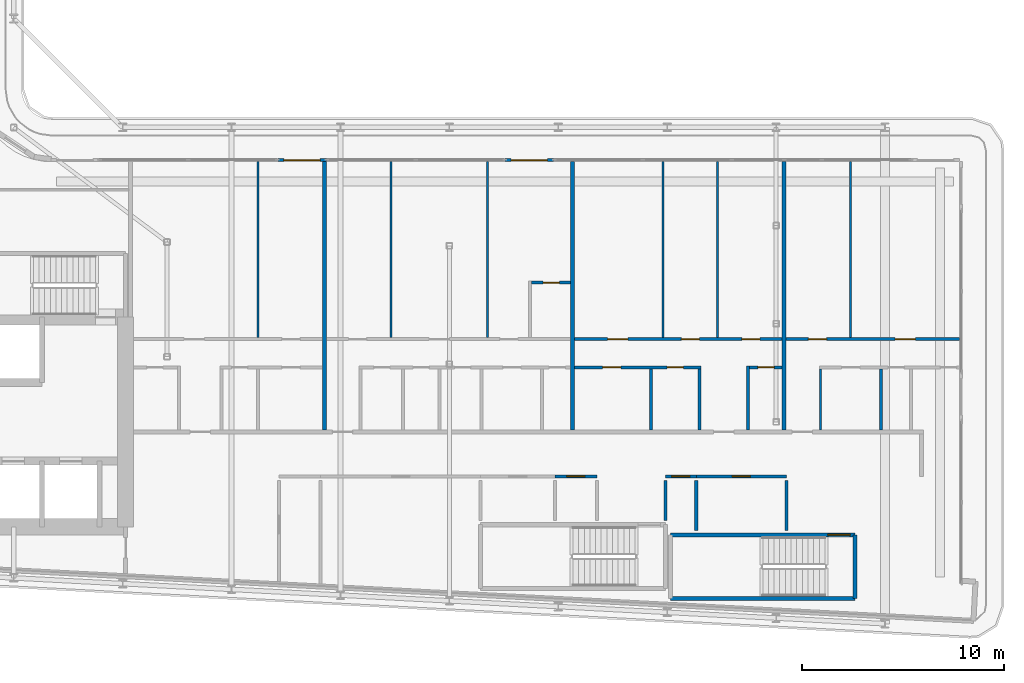
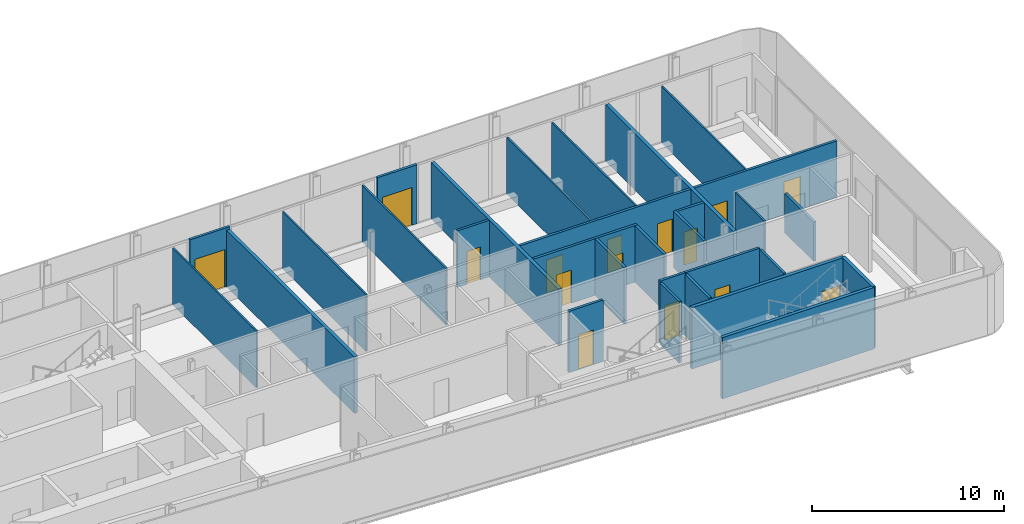
# One storey, part 17 of 29: 30 walls, 15 doors, 15 openings.
"""IFC4 building model written with IfcOpenShell, lengths in metres."""

from ifc_helpers import new_model, si_unit, direction, frame, frame_2d, origin, place, context, subcontext, project, spatial, rectangle, extrude, source, transform, mapped, material, layer, layer_set, type_object, element, fill, save


model = new_model("IFC4")

# Units and contexts
model_context = context("Model", 3, precision=1e-05, world=origin(), true_north=direction((0.0, 1.0)))
body_context = subcontext(model_context, "Body", "Model", "MODEL_VIEW")
ifc_project = project(units=[si_unit("LENGTHUNIT", "METRE"), si_unit("AREAUNIT", "SQUARE_METRE"), si_unit("VOLUMEUNIT", "CUBIC_METRE"), si_unit("PLANEANGLEUNIT", "RADIAN"), si_unit("MASSUNIT", "GRAM", prefix="KILO")], contexts=[model_context])

# Site, building, storey
site_placement = place(None, origin())
site = spatial("IfcSite", under=ifc_project, at=site_placement, CompositionType="ELEMENT")
building_placement = place(site_placement, origin())
building = spatial("IfcBuilding", under=site, at=building_placement, Name="Kheshtan School and Residences Tower", CompositionType="ELEMENT")
storey_placement = place(building_placement, frame((0.0, 0.0, 168.199951171875)))
storey = spatial("IfcBuildingStorey", under=building, at=storey_placement, Name="L39", CompositionType="ELEMENT", Elevation=168.199951171875)

# Wall, opening, door
ifc_material_1 = material(Name="Aluminium frame wall with insulated infill", Category="aluminium")
ifc_layer_1 = layer(ifc_material_1, 0.14990234375)
ifc_layer_set_1 = layer_set([ifc_layer_1], Name="Glazing frame wall 150")
wall_type_1 = type_object("IfcWallType", Name="Glazing frame wall 150", PredefinedType="SOLIDWALL", material=ifc_layer_set_1)
wall_1_placement = place(storey_placement, frame((60.697021484375, 43.97509765625, 0.0), z_axis=(0.0, 0.0, 1.0), x_axis=(1.0, 0.0, 0.0)))
wall_1 = element("IfcWall", 1, at=wall_1_placement, inside=storey, type_object=wall_type_1, Name="Balcony door wall L39 12.2", PredefinedType="SOLIDWALL", context=body_context, shape_type="SweptSolid", body=[
    extrude(rectangle(XDim=2.39990234375, YDim=0.14990234375, at=frame_2d((1.199951171875, 0.0))), origin(), (0.0, 0.0, 1.0), 3.75),
])
opening_1_placement = place(wall_1_placement, frame((0.300048828125, 0.0, 0.0)))
opening_1 = element("IfcOpeningElement", 2, at=opening_1_placement, cuts=wall_1, Name="Opening BD", PredefinedType="OPENING", context=body_context, shape_type="SweptSolid", body=[
    extrude(rectangle(XDim=1.800048828125, YDim=2.39990234375, at=frame_2d((0.89990234375, 1.199951171875))), frame((0.0, 0.0849609375, 0.0), z_axis=(0.0, -1.0, 0.0), x_axis=(1.0, 0.0, 0.0)), (0.0, 0.0, 1.0), 0.169921875),
])
ifc_material_2 = material(Name="Clear low-e glass in thermally broken aluminium frame", Category="aluminium")
door_type_1 = type_object("IfcDoorType", Name="Balcony sliding door", OperationType="SLIDING_TO_LEFT", PredefinedType="DOOR", material=ifc_material_2)
shared_shape_1 = source(origin(), body_context, "Body", "SweptSolid", [
    extrude(rectangle(XDim=1.800048828125, YDim=2.39990234375, at=frame_2d((0.89990234375, 1.199951171875))), frame((0.0, 0.02490234375, 0.0), z_axis=(0.0, -1.0, 0.0), x_axis=(1.0, 0.0, 0.0)), (0.0, 0.0, 1.0), 0.050048828125),
])
door_1_placement = place(opening_1_placement, origin())
door_1 = element("IfcDoor", 3, at=door_1_placement, inside=storey, type_object=door_type_1, Name="Balcony door L39 12.2", OperationType="SLIDING_TO_LEFT", OverallHeight=2.39990234375, OverallWidth=1.800048828125, PredefinedType="DOOR", context=body_context, shape_type="MappedRepresentation", body=[
    mapped(shared_shape_1, transform((0.0, 0.0, 0.0), x_axis=(1.0, 0.0, 0.0), y_axis=(0.0, 1.0, 0.0), z_axis=(0.0, 0.0, 1.0), scale=1.0)),
])
fill(opening_1, door_1)

wall_2_placement = place(storey_placement, frame((71.965087890625, 43.97509765625, 0.0), z_axis=(0.0, 0.0, 1.0), x_axis=(1.0, 0.0, 0.0)))
wall_2 = element("IfcWall", 4, at=wall_2_placement, inside=storey, type_object=wall_type_1, Name="Balcony door wall L39 12.3", PredefinedType="SOLIDWALL", context=body_context, shape_type="SweptSolid", body=[
    extrude(rectangle(XDim=2.39990234375, YDim=0.14990234375, at=frame_2d((1.199951171875, 0.0))), origin(), (0.0, 0.0, 1.0), 3.75),
])
opening_2_placement = place(wall_2_placement, frame((0.300048828125, 0.0, 0.0)))
opening_2 = element("IfcOpeningElement", 5, at=opening_2_placement, cuts=wall_2, Name="Opening BD", PredefinedType="OPENING", context=body_context, shape_type="SweptSolid", body=[
    extrude(rectangle(XDim=1.800048828125, YDim=2.39990234375, at=frame_2d((0.89990234375, 1.199951171875))), frame((0.0, 0.0849609375, 0.0), z_axis=(0.0, -1.0, 0.0), x_axis=(1.0, 0.0, 0.0)), (0.0, 0.0, 1.0), 0.169921875),
])
door_2_placement = place(opening_2_placement, origin())
door_2 = element("IfcDoor", 6, at=door_2_placement, inside=storey, type_object=door_type_1, Name="Balcony door L39 12.3", OperationType="SLIDING_TO_LEFT", OverallHeight=2.39990234375, OverallWidth=1.800048828125, PredefinedType="DOOR", context=body_context, shape_type="MappedRepresentation", body=[
    mapped(shared_shape_1, transform((0.0, 0.0, 0.0), x_axis=(1.0, 0.0, 0.0), y_axis=(0.0, 1.0, 0.0), z_axis=(0.0, 0.0, 1.0), scale=1.0)),
])
fill(opening_2, door_2)

# Walls
ifc_material_3 = material(Name="Gypsum board on steel studs", Category="steel")
ifc_layer_2 = layer(ifc_material_3, 0.10009765625)
ifc_layer_set_2 = layer_set([ifc_layer_2], Name="Gypsum partition 100")
wall_type_2 = type_object("IfcWallType", Name="Gypsum partition 100", PredefinedType="PARTITIONING", material=ifc_layer_set_2)
for number, where, z_axis, x_axis, name in (
    (7, (59.699951171875, 35.175048828125, 0.0), (0.0, 0.0, 1.0), (0.0, 1.0, 0.0), "Partition L39-044"),
    (8, (66.300048828125, 35.175048828125, 0.0), (0.0, 0.0, 1.0), (0.0, 1.0, 0.0), "Partition L39-049"),
    (9, (71.10009765625, 35.175048828125, 0.0), (0.0, 0.0, 1.0), (0.0, 1.0, 0.0), "Partition L39-053"),
    (10, (79.800048828125, 35.175048828125, 0.0), (0.0, 0.0, 1.0), (0.0, 1.0, 0.0), "Partition L39-061"),
    (11, (82.5, 35.175048828125, 0.0), (0.0, 0.0, 1.0), (0.0, 1.0, 0.0), "Partition L39-063"),
):
    element("IfcWall", number, at=place(storey_placement, frame(where, z_axis=z_axis, x_axis=x_axis)), inside=storey, type_object=wall_type_2, Name=name, PredefinedType="PARTITIONING", context=body_context, shape_type="SweptSolid", body=[
        extrude(rectangle(XDim=8.724853515625, YDim=0.10009765625, at=frame_2d((4.3623046875, 0.0))), origin(), (0.0, 0.0, 1.0), 3.60009765625),
    ])
wall_3_placement = place(storey_placement, frame((87.60009765625, 30.60009765625, 0.0), z_axis=(0.0, 0.0, 1.0), x_axis=(0.0, 1.0, 0.0)))
element("IfcWall", 12, at=wall_3_placement, inside=storey, type_object=wall_type_2, Name="Partition L39-069", PredefinedType="PARTITIONING", context=body_context, shape_type="SweptSolid", body=[
    extrude(rectangle(XDim=3.02490234375, YDim=0.10009765625, at=frame_2d((1.512451171875, 0.0))), origin(), (0.0, 0.0, 1.0), 3.60009765625),
])
wall_4_placement = place(storey_placement, frame((89.10009765625, 35.175048828125, 0.0), z_axis=(0.0, 0.0, 1.0), x_axis=(0.0, 1.0, 0.0)))
element("IfcWall", 13, at=wall_4_placement, inside=storey, type_object=wall_type_2, Name="Partition L39-070", PredefinedType="PARTITIONING", context=body_context, shape_type="SweptSolid", body=[
    extrude(rectangle(XDim=8.724853515625, YDim=0.10009765625, at=frame_2d((4.3623046875, 0.0))), origin(), (0.0, 0.0, 1.0), 3.60009765625),
])

# Wall, opening, door
ifc_material_4 = material(Name="Fire-board shaft wall system")
ifc_layer_3 = layer(ifc_material_4, 0.14990234375)
ifc_layer_set_3 = layer_set([ifc_layer_3], Name="Service room wall 150")
wall_type_3 = type_object("IfcWallType", Name="Service room wall 150", PredefinedType="PARTITIONING", material=ifc_layer_set_3)
wall_5_placement = place(storey_placement, frame((74.43603515625, 28.300048828125, 0.0), z_axis=(0.0, 0.0, 1.0), x_axis=(1.0, 0.0, 0.0)))
wall_5 = element("IfcWall", 14, at=wall_5_placement, inside=storey, type_object=wall_type_3, Name="Service room wall", PredefinedType="PARTITIONING", context=body_context, shape_type="SweptSolid", body=[
    extrude(rectangle(XDim=2.073974609375, YDim=0.14990234375, at=frame_2d((1.037109375, 0.0))), origin(), (0.0, 0.0, 1.0), 3.900146484375),
])
opening_3_placement = place(wall_5_placement, frame((0.5869140625, 0.0, 0.0)))
opening_3 = element("IfcOpeningElement", 15, at=opening_3_placement, cuts=wall_5, Name="Opening SR90", PredefinedType="OPENING", context=body_context, shape_type="SweptSolid", body=[
    extrude(rectangle(XDim=0.89990234375, YDim=2.199951171875, at=frame_2d((0.449951171875, 1.10009765625))), frame((0.0, 0.0849609375, 0.0), z_axis=(0.0, -1.0, 0.0), x_axis=(1.0, 0.0, 0.0)), (0.0, 0.0, 1.0), 0.169921875),
])
ifc_material_5 = material(Name="Steel door leaf, galvanised", Category="steel")
door_type_2 = type_object("IfcDoorType", Name="Service room door 900 steel 90 min", OperationType="SINGLE_SWING_LEFT", PredefinedType="DOOR", material=ifc_material_5)
shared_shape_2 = source(origin(), body_context, "Body", "SweptSolid", [
    extrude(rectangle(XDim=0.89990234375, YDim=2.199951171875, at=frame_2d((0.449951171875, 1.10009765625))), frame((0.0, 0.02490234375, 0.0), z_axis=(0.0, -1.0, 0.0), x_axis=(1.0, 0.0, 0.0)), (0.0, 0.0, 1.0), 0.050048828125),
])
door_3_placement = place(opening_3_placement, origin())
door_3 = element("IfcDoor", 16, at=door_3_placement, inside=storey, type_object=door_type_2, Name="Service room door", OperationType="SINGLE_SWING_LEFT", OverallHeight=2.199951171875, OverallWidth=0.89990234375, PredefinedType="DOOR", context=body_context, shape_type="MappedRepresentation", body=[
    mapped(shared_shape_2, transform((0.0, 0.0, 0.0), x_axis=(1.0, 0.0, 0.0), y_axis=(0.0, 1.0, 0.0), z_axis=(0.0, 0.0, 1.0), scale=1.0)),
])
fill(opening_3, door_3)

wall_6_placement = place(storey_placement, frame((79.909912109375, 28.300048828125, 0.0), z_axis=(0.0, 0.0, 1.0), x_axis=(1.0, 0.0, 0.0)))
wall_6 = element("IfcWall", 17, at=wall_6_placement, inside=storey, type_object=wall_type_3, Name="Service room wall", PredefinedType="PARTITIONING", context=body_context, shape_type="SweptSolid", body=[
    extrude(rectangle(XDim=1.531005859375, YDim=0.14990234375, at=frame_2d((0.765625, 0.0))), origin(), (0.0, 0.0, 1.0), 3.900146484375),
])
opening_4_placement = place(wall_6_placement, frame((0.31591796875, 0.0, 0.0)))
opening_4 = element("IfcOpeningElement", 18, at=opening_4_placement, cuts=wall_6, Name="Opening SR90", PredefinedType="OPENING", context=body_context, shape_type="SweptSolid", body=[
    extrude(rectangle(XDim=0.89990234375, YDim=2.199951171875, at=frame_2d((0.449951171875, 1.10009765625))), frame((0.0, 0.0849609375, 0.0), z_axis=(0.0, -1.0, 0.0), x_axis=(1.0, 0.0, 0.0)), (0.0, 0.0, 1.0), 0.169921875),
])
door_4_placement = place(opening_4_placement, origin())
door_4 = element("IfcDoor", 19, at=door_4_placement, inside=storey, type_object=door_type_2, Name="Service room door", OperationType="SINGLE_SWING_RIGHT", OverallHeight=2.199951171875, OverallWidth=0.89990234375, PredefinedType="DOOR", context=body_context, shape_type="MappedRepresentation", body=[
    mapped(shared_shape_2, transform((0.0, 0.0, 0.0), x_axis=(1.0, 0.0, 0.0), y_axis=(0.0, 1.0, 0.0), z_axis=(0.0, 0.0, 1.0), scale=1.0)),
])
fill(opening_4, door_4)

# Walls
wall_7_placement = place(storey_placement, frame((79.909912109375, 26.1201171875, 0.0), z_axis=(0.0, 0.0, 1.0), x_axis=(0.0, 1.0, 0.0)))
element("IfcWall", 20, at=wall_7_placement, inside=storey, type_object=wall_type_3, Name="Service room wall", PredefinedType="PARTITIONING", context=body_context, shape_type="SweptSolid", body=[
    extrude(rectangle(XDim=1.98486328125, YDim=0.14990234375, at=frame_2d((0.992431640625, 0.0))), origin(), (0.0, 0.0, 1.0), 3.900146484375),
])
wall_8_placement = place(storey_placement, frame((81.44091796875, 25.6201171875, 0.0), z_axis=(0.0, 0.0, 1.0), x_axis=(0.0, 1.0, 0.0)))
element("IfcWall", 21, at=wall_8_placement, inside=storey, type_object=wall_type_3, Name="Service room wall", PredefinedType="PARTITIONING", context=body_context, shape_type="SweptSolid", body=[
    extrude(rectangle(XDim=2.48486328125, YDim=0.14990234375, at=frame_2d((1.242431640625, 0.0))), origin(), (0.0, 0.0, 1.0), 3.900146484375),
])

# Wall, opening, door
wall_9_placement = place(storey_placement, frame((81.44091796875, 28.300048828125, 0.0), z_axis=(0.0, 0.0, 1.0), x_axis=(1.0, 0.0, 0.0)))
wall_9 = element("IfcWall", 22, at=wall_9_placement, inside=storey, type_object=wall_type_3, Name="Service room wall", PredefinedType="PARTITIONING", context=body_context, shape_type="SweptSolid", body=[
    extrude(rectangle(XDim=4.47900390625, YDim=0.14990234375, at=frame_2d((2.239501953125, 0.0))), origin(), (0.0, 0.0, 1.0), 3.900146484375),
])
opening_5_placement = place(wall_9_placement, frame((1.7890625, 0.0, 0.0)))
opening_5 = element("IfcOpeningElement", 23, at=opening_5_placement, cuts=wall_9, Name="Opening SR90", PredefinedType="OPENING", context=body_context, shape_type="SweptSolid", body=[
    extrude(rectangle(XDim=0.89990234375, YDim=2.199951171875, at=frame_2d((0.449951171875, 1.10009765625))), frame((0.0, 0.0849609375, 0.0), z_axis=(0.0, -1.0, 0.0), x_axis=(1.0, 0.0, 0.0)), (0.0, 0.0, 1.0), 0.169921875),
])
door_5_placement = place(opening_5_placement, origin())
door_5 = element("IfcDoor", 24, at=door_5_placement, inside=storey, type_object=door_type_2, Name="Service room door", OperationType="SINGLE_SWING_LEFT", OverallHeight=2.199951171875, OverallWidth=0.89990234375, PredefinedType="DOOR", context=body_context, shape_type="MappedRepresentation", body=[
    mapped(shared_shape_2, transform((0.0, 0.0, 0.0), x_axis=(1.0, 0.0, 0.0), y_axis=(0.0, 1.0, 0.0), z_axis=(0.0, 0.0, 1.0), scale=1.0)),
])
fill(opening_5, door_5)

# Walls
wall_10_placement = place(storey_placement, frame((85.919921875, 25.6201171875, 0.0), z_axis=(0.0, 0.0, 1.0), x_axis=(0.0, 1.0, 0.0)))
element("IfcWall", 25, at=wall_10_placement, inside=storey, type_object=wall_type_3, Name="Service room wall", PredefinedType="PARTITIONING", context=body_context, shape_type="SweptSolid", body=[
    extrude(rectangle(XDim=2.48486328125, YDim=0.14990234375, at=frame_2d((1.242431640625, 0.0))), origin(), (0.0, 0.0, 1.0), 3.900146484375),
])
ifc_material_6 = material(Name="Concrete C40/50", Category="concrete")
ifc_layer_4 = layer(ifc_material_6, 0.199951171875)
ifc_layer_set_4 = layer_set([ifc_layer_4], Name="Stair enclosure wall 200 Concrete C40/50")
wall_type_4 = type_object("IfcWallType", Name="Stair enclosure wall 200 Concrete C40/50", PredefinedType="SHEAR", material=ifc_layer_set_4)
wall_11_placement = place(storey_placement, frame((80.159912109375, 22.25, 0.0), z_axis=(0.0, 0.0, 1.0), x_axis=(1.0, 0.0, 0.0)))
element("IfcWall", 26, at=wall_11_placement, inside=storey, type_object=wall_type_4, Name="Stair enclosure wall ST4", PredefinedType="SHEAR", context=body_context, shape_type="SweptSolid", body=[
    extrude(rectangle(XDim=9.16015625, YDim=0.199951171875, at=frame_2d((4.580078125, 0.0))), origin(), (0.0, 0.0, 1.0), 3.900146484375),
])

# Wall, opening, door
wall_12_placement = place(storey_placement, frame((80.159912109375, 25.39990234375, 0.0), z_axis=(0.0, 0.0, 1.0), x_axis=(1.0, 0.0, 0.0)))
wall_12 = element("IfcWall", 27, at=wall_12_placement, inside=storey, type_object=wall_type_4, Name="Stair enclosure wall ST4", PredefinedType="SHEAR", context=body_context, shape_type="SweptSolid", body=[
    extrude(rectangle(XDim=9.16015625, YDim=0.199951171875, at=frame_2d((4.580078125, 0.0))), origin(), (0.0, 0.0, 1.0), 3.900146484375),
])
opening_6_placement = place(wall_12_placement, frame((7.81005859375, 0.0, 0.0)))
opening_6 = element("IfcOpeningElement", 28, at=opening_6_placement, cuts=wall_12, Name="Opening ST4D", PredefinedType="OPENING", context=body_context, shape_type="SweptSolid", body=[
    extrude(rectangle(XDim=1.10009765625, YDim=2.199951171875, at=frame_2d((0.550048828125, 1.10009765625))), frame((0.0, 0.10986328125, 0.0), z_axis=(0.0, -1.0, 0.0), x_axis=(1.0, 0.0, 0.0)), (0.0, 0.0, 1.0), 0.219970703125),
])
door_type_3 = type_object("IfcDoorType", Name="Stair door 1100 steel 90 min", OperationType="SINGLE_SWING_LEFT", PredefinedType="DOOR", material=ifc_material_5)
shared_shape_3 = source(origin(), body_context, "Body", "SweptSolid", [
    extrude(rectangle(XDim=1.10009765625, YDim=2.199951171875, at=frame_2d((0.550048828125, 1.10009765625))), frame((0.0, 0.02490234375, 0.0), z_axis=(0.0, -1.0, 0.0), x_axis=(1.0, 0.0, 0.0)), (0.0, 0.0, 1.0), 0.050048828125),
])
door_6_placement = place(opening_6_placement, origin())
door_6 = element("IfcDoor", 29, at=door_6_placement, inside=storey, type_object=door_type_3, Name="Stair ST4 door", OperationType="SINGLE_SWING_LEFT", OverallHeight=2.199951171875, OverallWidth=1.10009765625, PredefinedType="DOOR", context=body_context, shape_type="MappedRepresentation", body=[
    mapped(shared_shape_3, transform((0.0, 0.0, 0.0), x_axis=(1.0, 0.0, 0.0), y_axis=(0.0, 1.0, 0.0), z_axis=(0.0, 0.0, 1.0), scale=1.0)),
])
fill(opening_6, door_6)

# Walls
wall_13_placement = place(storey_placement, frame((89.320068359375, 22.25, 0.0), z_axis=(0.0, 0.0, 1.0), x_axis=(0.0, 1.0, 0.0)))
element("IfcWall", 30, at=wall_13_placement, inside=storey, type_object=wall_type_4, Name="Stair enclosure wall ST4", PredefinedType="SHEAR", context=body_context, shape_type="SweptSolid", body=[
    extrude(rectangle(XDim=3.14990234375, YDim=0.199951171875, at=frame_2d((1.574951171875, 0.0))), origin(), (0.0, 0.0, 1.0), 3.900146484375),
])
ifc_material_7 = material(Name="Twin gypsum board on steel studs with mineral wool", Category="steel")
ifc_layer_5 = layer(ifc_material_7, 0.199951171875)
ifc_layer_set_5 = layer_set([ifc_layer_5], Name="Unit demising wall 200")
wall_type_5 = type_object("IfcWallType", Name="Unit demising wall 200", PredefinedType="PARTITIONING", material=ifc_layer_set_5)
for number, where, z_axis, x_axis, name in (
    (31, (63.0, 30.60009765625, 0.0), (0.0, 0.0, 1.0), (0.0, 1.0, 0.0), "Partition L39-045"),
    (32, (75.300048828125, 30.60009765625, 0.0), (0.0, 0.0, 1.0), (0.0, 1.0, 0.0), "Partition L39-057"),
    (33, (85.800048828125, 30.60009765625, 0.0), (0.0, 0.0, 1.0), (0.0, 1.0, 0.0), "Partition L39-066"),
):
    element("IfcWall", number, at=place(storey_placement, frame(where, z_axis=z_axis, x_axis=x_axis)), inside=storey, type_object=wall_type_5, Name=name, PredefinedType="PARTITIONING", context=body_context, shape_type="SweptSolid", body=[
        extrude(rectangle(XDim=13.2998046875, YDim=0.199951171875, at=frame_2d((6.64990234375, 0.0))), origin(), (0.0, 0.0, 1.0), 3.60009765625),
    ])

# Wall, opening, door
ifc_material_8 = material(Name="Moisture-resistant gypsum board on steel studs", Category="steel")
ifc_layer_6 = layer(ifc_material_8, 0.14990234375)
ifc_layer_set_6 = layer_set([ifc_layer_6], Name="Wet-room partition 150")
wall_type_6 = type_object("IfcWallType", Name="Wet-room partition 150", PredefinedType="PARTITIONING", material=ifc_layer_set_6)
wall_14_placement = place(storey_placement, frame((73.27490234375, 37.89990234375, 0.0), z_axis=(0.0, 0.0, 1.0), x_axis=(1.0, 0.0, 0.0)))
wall_14 = element("IfcWall", 34, at=wall_14_placement, inside=storey, type_object=wall_type_6, Name="Partition L39-055", PredefinedType="PARTITIONING", context=body_context, shape_type="SweptSolid", body=[
    extrude(rectangle(XDim=1.925048828125, YDim=0.14990234375, at=frame_2d((0.96240234375, 0.0))), origin(), (0.0, 0.0, 1.0), 3.60009765625),
])
opening_7_placement = place(wall_14_placement, frame((0.574951171875, 0.0, 0.0)))
opening_7 = element("IfcOpeningElement", 35, at=opening_7_placement, cuts=wall_14, Name="Opening D39-009", PredefinedType="OPENING", context=body_context, shape_type="SweptSolid", body=[
    extrude(rectangle(XDim=0.800048828125, YDim=2.10009765625, at=frame_2d((0.39990234375, 1.050048828125))), frame((0.0, 0.0849609375, 0.0), z_axis=(0.0, -1.0, 0.0), x_axis=(1.0, 0.0, 0.0)), (0.0, 0.0, 1.0), 0.169921875),
])
ifc_material_9 = material(Name="Veneered timber door leaf", Category="wood")
door_type_4 = type_object("IfcDoorType", Name="Door 800 x 2100", OperationType="SINGLE_SWING_LEFT", PredefinedType="DOOR", material=ifc_material_9)
shared_shape_4 = source(origin(), body_context, "Body", "SweptSolid", [
    extrude(rectangle(XDim=0.800048828125, YDim=2.10009765625, at=frame_2d((0.39990234375, 1.050048828125))), frame((0.0, 0.02490234375, 0.0), z_axis=(0.0, -1.0, 0.0), x_axis=(1.0, 0.0, 0.0)), (0.0, 0.0, 1.0), 0.050048828125),
])
door_7_placement = place(opening_7_placement, origin())
door_7 = element("IfcDoor", 36, at=door_7_placement, inside=storey, type_object=door_type_4, Name="Door D39-009", OperationType="SINGLE_SWING_LEFT", OverallHeight=2.10009765625, OverallWidth=0.800048828125, PredefinedType="DOOR", context=body_context, shape_type="MappedRepresentation", body=[
    mapped(shared_shape_4, transform((0.0, 0.0, 0.0), x_axis=(1.0, 0.0, 0.0), y_axis=(0.0, 1.0, 0.0), z_axis=(0.0, 0.0, 1.0), scale=1.0)),
])
fill(opening_7, door_7)

# Wall, openings, doors
wall_15_placement = place(storey_placement, frame((75.39990234375, 33.699951171875, 0.0), z_axis=(0.0, 0.0, 1.0), x_axis=(1.0, 0.0, 0.0)))
wall_15 = element("IfcWall", 37, at=wall_15_placement, inside=storey, type_object=wall_type_6, Name="Partition L39-058", PredefinedType="PARTITIONING", context=body_context, shape_type="SweptSolid", body=[
    extrude(rectangle(XDim=6.275146484375, YDim=0.14990234375, at=frame_2d((3.1376953125, 0.0))), origin(), (0.0, 0.0, 1.0), 3.60009765625),
])
opening_8_placement = place(wall_15_placement, frame((4.60009765625, 0.0, 0.0)))
opening_8 = element("IfcOpeningElement", 38, at=opening_8_placement, cuts=wall_15, Name="Opening D39-017", PredefinedType="OPENING", context=body_context, shape_type="SweptSolid", body=[
    extrude(rectangle(XDim=0.800048828125, YDim=2.10009765625, at=frame_2d((0.39990234375, 1.050048828125))), frame((0.0, 0.0849609375, 0.0), z_axis=(0.0, -1.0, 0.0), x_axis=(1.0, 0.0, 0.0)), (0.0, 0.0, 1.0), 0.169921875),
])
opening_9_placement = place(wall_15_placement, frame((1.39990234375, 0.0, 0.0)))
opening_9 = element("IfcOpeningElement", 39, at=opening_9_placement, cuts=wall_15, Name="Opening D39-020", PredefinedType="OPENING", context=body_context, shape_type="SweptSolid", body=[
    extrude(rectangle(XDim=0.89990234375, YDim=2.10009765625, at=frame_2d((0.449951171875, 1.050048828125))), frame((0.0, 0.0849609375, 0.0), z_axis=(0.0, -1.0, 0.0), x_axis=(1.0, 0.0, 0.0)), (0.0, 0.0, 1.0), 0.169921875),
])
door_8_placement = place(opening_8_placement, origin())
door_8 = element("IfcDoor", 40, at=door_8_placement, inside=storey, type_object=door_type_4, Name="Door D39-017", OperationType="SINGLE_SWING_LEFT", OverallHeight=2.10009765625, OverallWidth=0.800048828125, PredefinedType="DOOR", context=body_context, shape_type="MappedRepresentation", body=[
    mapped(shared_shape_4, transform((0.0, 0.0, 0.0), x_axis=(1.0, 0.0, 0.0), y_axis=(0.0, 1.0, 0.0), z_axis=(0.0, 0.0, 1.0), scale=1.0)),
])
fill(opening_8, door_8)
door_type_5 = type_object("IfcDoorType", Name="Door 900 x 2100", OperationType="SINGLE_SWING_LEFT", PredefinedType="DOOR", material=ifc_material_9)
shared_shape_5 = source(origin(), body_context, "Body", "SweptSolid", [
    extrude(rectangle(XDim=0.89990234375, YDim=2.10009765625, at=frame_2d((0.449951171875, 1.050048828125))), frame((0.0, 0.02490234375, 0.0), z_axis=(0.0, -1.0, 0.0), x_axis=(1.0, 0.0, 0.0)), (0.0, 0.0, 1.0), 0.050048828125),
])
door_9_placement = place(opening_9_placement, origin())
door_9 = element("IfcDoor", 41, at=door_9_placement, inside=storey, type_object=door_type_5, Name="Door D39-020", OperationType="SINGLE_SWING_LEFT", OverallHeight=2.10009765625, OverallWidth=0.89990234375, PredefinedType="DOOR", context=body_context, shape_type="MappedRepresentation", body=[
    mapped(shared_shape_5, transform((0.0, 0.0, 0.0), x_axis=(1.0, 0.0, 0.0), y_axis=(0.0, 1.0, 0.0), z_axis=(0.0, 0.0, 1.0), scale=1.0)),
])
fill(opening_9, door_9)

wall_16_placement = place(storey_placement, frame((75.39990234375, 35.10009765625, 0.0), z_axis=(0.0, 0.0, 1.0), x_axis=(1.0, 0.0, 0.0)))
wall_16 = element("IfcWall", 42, at=wall_16_placement, inside=storey, type_object=wall_type_6, Name="Partition L39-059", PredefinedType="PARTITIONING", context=body_context, shape_type="SweptSolid", body=[
    extrude(rectangle(XDim=10.300048828125, YDim=0.14990234375, at=frame_2d((5.14990234375, 0.0))), origin(), (0.0, 0.0, 1.0), 3.60009765625),
])
opening_10_placement = place(wall_16_placement, frame((5.300048828125, 0.0, 0.0)))
opening_10 = element("IfcOpeningElement", 43, at=opening_10_placement, cuts=wall_16, Name="Opening D39-018", PredefinedType="OPENING", context=body_context, shape_type="SweptSolid", body=[
    extrude(rectangle(XDim=0.89990234375, YDim=2.10009765625, at=frame_2d((0.449951171875, 1.050048828125))), frame((0.0, 0.0849609375, 0.0), z_axis=(0.0, -1.0, 0.0), x_axis=(1.0, 0.0, 0.0)), (0.0, 0.0, 1.0), 0.169921875),
])
opening_11_placement = place(wall_16_placement, frame((1.64990234375, 0.0, 0.0)))
opening_11 = element("IfcOpeningElement", 44, at=opening_11_placement, cuts=wall_16, Name="Opening D39-021", PredefinedType="OPENING", context=body_context, shape_type="SweptSolid", body=[
    extrude(rectangle(XDim=1.0, YDim=2.10009765625, at=frame_2d((0.5, 1.050048828125))), frame((0.0, 0.0849609375, 0.0), z_axis=(0.0, -1.0, 0.0), x_axis=(1.0, 0.0, 0.0)), (0.0, 0.0, 1.0), 0.169921875),
])
opening_12_placement = place(wall_16_placement, frame((8.300048828125, 0.0, 0.0)))
opening_12 = element("IfcOpeningElement", 45, at=opening_12_placement, cuts=wall_16, Name="Opening D39-022", PredefinedType="OPENING", context=body_context, shape_type="SweptSolid", body=[
    extrude(rectangle(XDim=0.89990234375, YDim=2.10009765625, at=frame_2d((0.449951171875, 1.050048828125))), frame((0.0, 0.0849609375, 0.0), z_axis=(0.0, -1.0, 0.0), x_axis=(1.0, 0.0, 0.0)), (0.0, 0.0, 1.0), 0.169921875),
])
door_type_6 = type_object("IfcDoorType", Name="Door 1000 x 2100", OperationType="SINGLE_SWING_LEFT", PredefinedType="DOOR", material=ifc_material_9)
shared_shape_6 = source(origin(), body_context, "Body", "SweptSolid", [
    extrude(rectangle(XDim=1.0, YDim=2.10009765625, at=frame_2d((0.5, 1.050048828125))), frame((0.0, 0.02490234375, 0.0), z_axis=(0.0, -1.0, 0.0), x_axis=(1.0, 0.0, 0.0)), (0.0, 0.0, 1.0), 0.050048828125),
])
door_10_placement = place(opening_11_placement, origin())
door_10 = element("IfcDoor", 46, at=door_10_placement, inside=storey, type_object=door_type_6, Name="Door D39-021", OperationType="SINGLE_SWING_LEFT", OverallHeight=2.10009765625, OverallWidth=1.0, PredefinedType="DOOR", context=body_context, shape_type="MappedRepresentation", body=[
    mapped(shared_shape_6, transform((0.0, 0.0, 0.0), x_axis=(1.0, 0.0, 0.0), y_axis=(0.0, 1.0, 0.0), z_axis=(0.0, 0.0, 1.0), scale=1.0)),
])
fill(opening_11, door_10)
door_11_placement = place(opening_10_placement, origin())
door_11 = element("IfcDoor", 47, at=door_11_placement, inside=storey, type_object=door_type_5, Name="Door D39-018", OperationType="SINGLE_SWING_RIGHT", OverallHeight=2.10009765625, OverallWidth=0.89990234375, PredefinedType="DOOR", context=body_context, shape_type="MappedRepresentation", body=[
    mapped(shared_shape_5, transform((0.0, 0.0, 0.0), x_axis=(1.0, 0.0, 0.0), y_axis=(0.0, 1.0, 0.0), z_axis=(0.0, 0.0, 1.0), scale=1.0)),
])
fill(opening_10, door_11)
door_12_placement = place(opening_12_placement, origin())
door_12 = element("IfcDoor", 48, at=door_12_placement, inside=storey, type_object=door_type_5, Name="Door D39-022", OperationType="SINGLE_SWING_LEFT", OverallHeight=2.10009765625, OverallWidth=0.89990234375, PredefinedType="DOOR", context=body_context, shape_type="MappedRepresentation", body=[
    mapped(shared_shape_5, transform((0.0, 0.0, 0.0), x_axis=(1.0, 0.0, 0.0), y_axis=(0.0, 1.0, 0.0), z_axis=(0.0, 0.0, 1.0), scale=1.0)),
])
fill(opening_12, door_12)

# Walls
for number, where, z_axis, x_axis, name in (
    (49, (79.199951171875, 30.60009765625, 0.0), (0.0, 0.0, 1.0), (0.0, 1.0, 0.0), "Partition L39-060"),
    (50, (81.60009765625, 30.60009765625, 0.0), (0.0, 0.0, 1.0), (0.0, 1.0, 0.0), "Partition L39-062"),
):
    element("IfcWall", number, at=place(storey_placement, frame(where, z_axis=z_axis, x_axis=x_axis)), inside=storey, type_object=wall_type_6, Name=name, PredefinedType="PARTITIONING", context=body_context, shape_type="SweptSolid", body=[
        extrude(rectangle(XDim=3.02490234375, YDim=0.14990234375, at=frame_2d((1.512451171875, 0.0))), origin(), (0.0, 0.0, 1.0), 3.60009765625),
    ])
wall_17_placement = place(storey_placement, frame((84.0, 30.60009765625, 0.0), z_axis=(0.0, 0.0, 1.0), x_axis=(0.0, 1.0, 0.0)))
element("IfcWall", 51, at=wall_17_placement, inside=storey, type_object=wall_type_6, Name="Partition L39-064", PredefinedType="PARTITIONING", context=body_context, shape_type="SweptSolid", body=[
    extrude(rectangle(XDim=3.1748046875, YDim=0.14990234375, at=frame_2d((1.58740234375, 0.0))), origin(), (0.0, 0.0, 1.0), 3.60009765625),
])

# Wall, opening, door
wall_18_placement = place(storey_placement, frame((84.074951171875, 33.699951171875, 0.0), z_axis=(0.0, 0.0, 1.0), x_axis=(1.0, 0.0, 0.0)))
wall_18 = element("IfcWall", 52, at=wall_18_placement, inside=storey, type_object=wall_type_6, Name="Partition L39-065", PredefinedType="PARTITIONING", context=body_context, shape_type="SweptSolid", body=[
    extrude(rectangle(XDim=1.625, YDim=0.14990234375, at=frame_2d((0.8125, 0.0))), origin(), (0.0, 0.0, 1.0), 3.60009765625),
])
opening_13_placement = place(wall_18_placement, frame((0.425048828125, 0.0, 0.0)))
opening_13 = element("IfcOpeningElement", 53, at=opening_13_placement, cuts=wall_18, Name="Opening D39-023", PredefinedType="OPENING", context=body_context, shape_type="SweptSolid", body=[
    extrude(rectangle(XDim=0.800048828125, YDim=2.10009765625, at=frame_2d((0.39990234375, 1.050048828125))), frame((0.0, 0.0849609375, 0.0), z_axis=(0.0, -1.0, 0.0), x_axis=(1.0, 0.0, 0.0)), (0.0, 0.0, 1.0), 0.169921875),
])
door_13_placement = place(opening_13_placement, origin())
door_13 = element("IfcDoor", 54, at=door_13_placement, inside=storey, type_object=door_type_4, Name="Door D39-023", OperationType="SINGLE_SWING_LEFT", OverallHeight=2.10009765625, OverallWidth=0.800048828125, PredefinedType="DOOR", context=body_context, shape_type="MappedRepresentation", body=[
    mapped(shared_shape_4, transform((0.0, 0.0, 0.0), x_axis=(1.0, 0.0, 0.0), y_axis=(0.0, 1.0, 0.0), z_axis=(0.0, 0.0, 1.0), scale=1.0)),
])
fill(opening_13, door_13)

# Wall, openings, doors
wall_19_placement = place(storey_placement, frame((85.89990234375, 35.10009765625, 0.0), z_axis=(0.0, 0.0, 1.0), x_axis=(1.0, 0.0, 0.0)))
wall_19 = element("IfcWall", 55, at=wall_19_placement, inside=storey, type_object=wall_type_6, Name="Partition L39-067", PredefinedType="PARTITIONING", context=body_context, shape_type="SweptSolid", body=[
    extrude(rectangle(XDim=8.60009765625, YDim=0.14990234375, at=frame_2d((4.300048828125, 0.0))), origin(), (0.0, 0.0, 1.0), 3.60009765625),
])
opening_14_placement = place(wall_19_placement, frame((1.10009765625, 0.0, 0.0)))
opening_14 = element("IfcOpeningElement", 56, at=opening_14_placement, cuts=wall_19, Name="Opening D39-025", PredefinedType="OPENING", context=body_context, shape_type="SweptSolid", body=[
    extrude(rectangle(XDim=0.89990234375, YDim=2.10009765625, at=frame_2d((0.449951171875, 1.050048828125))), frame((0.0, 0.0849609375, 0.0), z_axis=(0.0, -1.0, 0.0), x_axis=(1.0, 0.0, 0.0)), (0.0, 0.0, 1.0), 0.169921875),
])
opening_15_placement = place(wall_19_placement, frame((5.39990234375, 0.0, 0.0)))
opening_15 = element("IfcOpeningElement", 57, at=opening_15_placement, cuts=wall_19, Name="Opening D39-028", PredefinedType="OPENING", context=body_context, shape_type="SweptSolid", body=[
    extrude(rectangle(XDim=1.0, YDim=2.10009765625, at=frame_2d((0.5, 1.050048828125))), frame((0.0, 0.0849609375, 0.0), z_axis=(0.0, -1.0, 0.0), x_axis=(1.0, 0.0, 0.0)), (0.0, 0.0, 1.0), 0.169921875),
])
door_14_placement = place(opening_15_placement, origin())
door_14 = element("IfcDoor", 58, at=door_14_placement, inside=storey, type_object=door_type_6, Name="Door D39-028", OperationType="SINGLE_SWING_LEFT", OverallHeight=2.10009765625, OverallWidth=1.0, PredefinedType="DOOR", context=body_context, shape_type="MappedRepresentation", body=[
    mapped(shared_shape_6, transform((0.0, 0.0, 0.0), x_axis=(1.0, 0.0, 0.0), y_axis=(0.0, 1.0, 0.0), z_axis=(0.0, 0.0, 1.0), scale=1.0)),
])
fill(opening_15, door_14)
door_15_placement = place(opening_14_placement, origin())
door_15 = element("IfcDoor", 59, at=door_15_placement, inside=storey, type_object=door_type_5, Name="Door D39-025", OperationType="SINGLE_SWING_RIGHT", OverallHeight=2.10009765625, OverallWidth=0.89990234375, PredefinedType="DOOR", context=body_context, shape_type="MappedRepresentation", body=[
    mapped(shared_shape_5, transform((0.0, 0.0, 0.0), x_axis=(1.0, 0.0, 0.0), y_axis=(0.0, 1.0, 0.0), z_axis=(0.0, 0.0, 1.0), scale=1.0)),
])
fill(opening_14, door_15)

# Wall
wall_20_placement = place(storey_placement, frame((90.60009765625, 30.60009765625, 0.0), z_axis=(0.0, 0.0, 1.0), x_axis=(0.0, 1.0, 0.0)))
element("IfcWall", 60, at=wall_20_placement, inside=storey, type_object=wall_type_6, Name="Partition L39-071", PredefinedType="PARTITIONING", context=body_context, shape_type="SweptSolid", body=[
    extrude(rectangle(XDim=3.02490234375, YDim=0.14990234375, at=frame_2d((1.512451171875, 0.0))), origin(), (0.0, 0.0, 1.0), 2.5),
])

save(model, "model.ifc")
